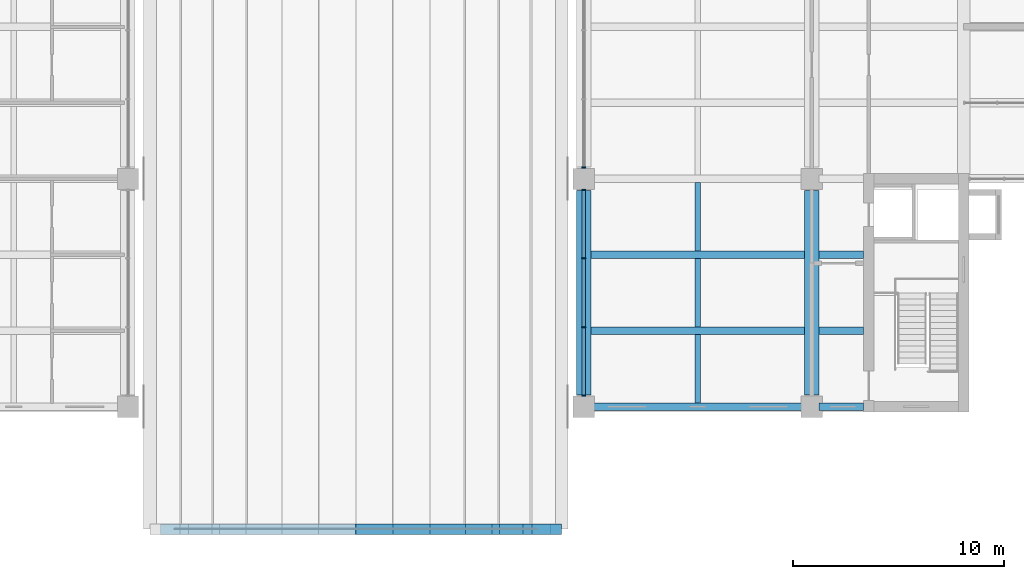
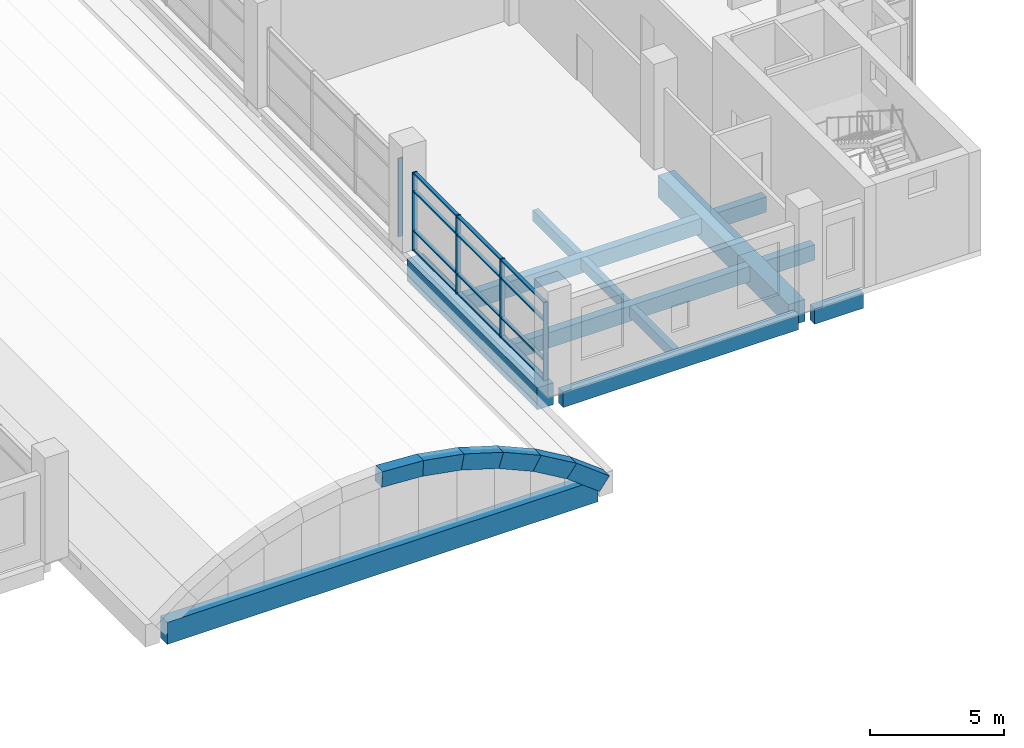
# One storey, part 6 of 45: 18 beams, 17 members, 2 elements without a shape of their own.
"""IFC4 building model written with IfcOpenShell, lengths in metres."""

from ifc_helpers import new_model, si_unit, direction, frame, origin, origin_2d, place, context, subcontext, project, spatial, rectangle, extrude, material, layer, layer_set, material_profile, profile_set, type_object, element, aggregate, save


model = new_model("IFC4")

# Units and contexts
model_context = context("Model", 3, precision=1e-05, world=origin(), true_north=direction((0.0, 1.0)))
body_context = subcontext(model_context, "Body", "Model", "MODEL_VIEW")
ifc_project = project(units=[si_unit("LENGTHUNIT", "METRE"), si_unit("AREAUNIT", "SQUARE_METRE"), si_unit("VOLUMEUNIT", "CUBIC_METRE"), si_unit("PLANEANGLEUNIT", "RADIAN"), si_unit("MASSUNIT", "GRAM", prefix="KILO")], contexts=[model_context])

# Site, building, storey
site_placement = place(None, origin())
site = spatial("IfcSite", under=ifc_project, at=site_placement, CompositionType="ELEMENT")
building_placement = place(site_placement, origin())
building = spatial("IfcBuilding", under=site, at=building_placement, Name="Basin Gate Institute", CompositionType="ELEMENT")
storey_placement = place(building_placement, frame((0.0, 0.0, 22.199951171875)))
storey = spatial("IfcBuildingStorey", under=building, at=storey_placement, Name="L04", CompositionType="ELEMENT", Elevation=22.199951171875)

# Beams
ifc_material_1 = material(Name="Concrete 40 MPa", Category="concrete")
ifc_material_profile_1 = material_profile(ifc_material_1, rectangle(XDim=0.35009765625, YDim=0.699951171875, at=origin_2d()), Name="Beam B1 350 x 700")
ifc_profile_set_1 = profile_set([ifc_material_profile_1], Name="Concrete 40 MPa")
beam_type_1 = type_object("IfcBeamType", Name="Beam B1 R120", PredefinedType="BEAM", material=ifc_profile_set_1)
beam_1_placement = place(storey_placement, frame((111.25, 35.10009765625, -0.599853515625), z_axis=(-1.0, 0.0, 0.0), x_axis=(0.0, -1.0, 0.0)))
element("IfcBeam", 1, at=beam_1_placement, inside=storey, type_object=beam_type_1, material=ifc_profile_set_1, Name="BEAM/L04/E/EW/01", PredefinedType="BEAM", context=body_context, shape_type="SweptSolid", body=[
    extrude(rectangle(XDim=0.35009765625, YDim=0.699951171875, at=origin_2d()), origin(), (0.0, 0.0, 1.0), 10.10009765625),
])
beam_2_placement = place(storey_placement, frame((114.050048828125, 35.10009765625, -0.599853515625), z_axis=(-1.0, 0.0, 0.0), x_axis=(0.0, -1.0, 0.0)))
element("IfcBeam", 2, at=beam_2_placement, inside=storey, type_object=beam_type_1, material=ifc_profile_set_1, Name="BEAM/L04/E/CORR/01", PredefinedType="BEAM", context=body_context, shape_type="SweptSolid", body=[
    extrude(rectangle(XDim=0.35009765625, YDim=0.699951171875, at=origin_2d()), origin(), (0.0, 0.0, 1.0), 2.10009765625),
])
beam_3_placement = place(storey_placement, frame((111.25, 38.699951171875, -0.599853515625), z_axis=(-1.0, 0.0, 0.0), x_axis=(0.0, -1.0, 0.0)))
element("IfcBeam", 3, at=beam_3_placement, inside=storey, type_object=beam_type_1, material=ifc_profile_set_1, Name="BEAM/L04/E/EW/02", PredefinedType="BEAM", context=body_context, shape_type="SweptSolid", body=[
    extrude(rectangle(XDim=0.35009765625, YDim=0.699951171875, at=origin_2d()), origin(), (0.0, 0.0, 1.0), 10.10009765625),
])
beam_4_placement = place(storey_placement, frame((114.050048828125, 38.699951171875, -0.599853515625), z_axis=(-1.0, 0.0, 0.0), x_axis=(0.0, -1.0, 0.0)))
element("IfcBeam", 4, at=beam_4_placement, inside=storey, type_object=beam_type_1, material=ifc_profile_set_1, Name="BEAM/L04/E/CORR/02", PredefinedType="BEAM", context=body_context, shape_type="SweptSolid", body=[
    extrude(rectangle(XDim=0.35009765625, YDim=0.699951171875, at=origin_2d()), origin(), (0.0, 0.0, 1.0), 2.10009765625),
])
beam_5_placement = place(storey_placement, frame((111.25, 42.300048828125, -0.599853515625), z_axis=(-1.0, 0.0, 0.0), x_axis=(0.0, -1.0, 0.0)))
element("IfcBeam", 5, at=beam_5_placement, inside=storey, type_object=beam_type_1, material=ifc_profile_set_1, Name="BEAM/L04/E/EW/03", PredefinedType="BEAM", context=body_context, shape_type="SweptSolid", body=[
    extrude(rectangle(XDim=0.35009765625, YDim=0.699951171875, at=origin_2d()), origin(), (0.0, 0.0, 1.0), 10.10009765625),
])
beam_6_placement = place(storey_placement, frame((114.050048828125, 42.300048828125, -0.599853515625), z_axis=(-1.0, 0.0, 0.0), x_axis=(0.0, -1.0, 0.0)))
element("IfcBeam", 6, at=beam_6_placement, inside=storey, type_object=beam_type_1, material=ifc_profile_set_1, Name="BEAM/L04/E/CORR/03", PredefinedType="BEAM", context=body_context, shape_type="SweptSolid", body=[
    extrude(rectangle(XDim=0.35009765625, YDim=0.699951171875, at=origin_2d()), origin(), (0.0, 0.0, 1.0), 2.10009765625),
])
ifc_material_2 = material(Name="Concrete 50 MPa", Category="concrete")
ifc_material_profile_2 = material_profile(ifc_material_2, rectangle(XDim=0.699951171875, YDim=1.0, at=origin_2d()), Name="Girder G1 700 x 1000")
ifc_profile_set_2 = profile_set([ifc_material_profile_2], Name="Concrete 50 MPa")
beam_type_2 = type_object("IfcBeamType", Name="Girder G1 R120", PredefinedType="BEAM", material=ifc_profile_set_2)
for number, where, z_axis, x_axis, name in (
    (7, (111.60009765625, 35.64990234375, -0.75), (0.0, 1.0, 0.0), (-1.0, 0.0, 0.0), "GIR/L04/E8/1"),
    (8, (100.800048828125, 35.64990234375, -0.75), (0.0, 1.0, 0.0), (-1.0, 0.0, 0.0), "GIR/L04/E7/1"),
):
    element("IfcBeam", number, at=place(storey_placement, frame(where, z_axis=z_axis, x_axis=x_axis)), inside=storey, type_object=beam_type_2, material=ifc_profile_set_2, Name=name, PredefinedType="BEAM", context=body_context, shape_type="SweptSolid", body=[
        extrude(rectangle(XDim=0.699951171875, YDim=1.0, at=origin_2d()), origin(), (0.0, 0.0, 1.0), 9.7001953125),
    ])

# Curtain wall, members
ifc_material_3 = material(Name="Aluminium-framed glazing", Category="aluminium")
ifc_layer = layer(ifc_material_3, 0.199951171875)
ifc_layer_set = layer_set([ifc_layer], Name="Atrium curtain wall CW2")
curtain_wall_type = type_object("IfcCurtainWallType", Name="Atrium curtain wall CW2", PredefinedType="NOTDEFINED", material=ifc_layer_set)
curtain_wall_1_placement = place(storey_placement, origin())
curtain_wall_1 = element("IfcCurtainWall", 9, at=curtain_wall_1_placement, inside=storey, type_object=curtain_wall_type, material=ifc_layer_set, Name="Atrium curtain wall E wing atrium bay 1 L04", PredefinedType="NOTDEFINED")
ifc_material_4 = material(Name="Aluminium", Category="aluminium")
ifc_material_profile_3 = material_profile(ifc_material_4, rectangle(XDim=0.199951171875, YDim=0.06005859375, at=origin_2d()), Name="Mullion MU2 200 x 60")
ifc_profile_set_3 = profile_set([ifc_material_profile_3], Name="Aluminium")
member_type_1 = type_object("IfcMemberType", Name="Mullion MU2", PredefinedType="MULLION", material=ifc_profile_set_3)
member_1_placement = place(storey_placement, frame((100.800048828125, 35.6298828125, 0.0), z_axis=(0.0, 0.0, 1.0), x_axis=(-1.0, 0.0, 0.0)))
member_1 = element("IfcMember", 10, at=member_1_placement, type_object=member_type_1, material=ifc_profile_set_3, Name="CW2 mullion 1", PredefinedType="MULLION", context=body_context, shape_type="SweptSolid", body=[
    extrude(rectangle(XDim=0.199951171875, YDim=0.06005859375, at=origin_2d()), origin(), (0.0, 0.0, 1.0), 3.550048828125),
])
member_2_placement = place(storey_placement, frame((100.800048828125, 38.86669921875, 0.0), z_axis=(0.0, 0.0, 1.0), x_axis=(-1.0, 0.0, 0.0)))
member_2 = element("IfcMember", 11, at=member_2_placement, type_object=member_type_1, material=ifc_profile_set_3, Name="CW2 mullion 2", PredefinedType="MULLION", context=body_context, shape_type="SweptSolid", body=[
    extrude(rectangle(XDim=0.199951171875, YDim=0.06005859375, at=origin_2d()), origin(), (0.0, 0.0, 1.0), 3.550048828125),
])
member_3_placement = place(storey_placement, frame((100.800048828125, 42.13330078125, 0.0), z_axis=(0.0, 0.0, 1.0), x_axis=(-1.0, 0.0, 0.0)))
member_3 = element("IfcMember", 12, at=member_3_placement, type_object=member_type_1, material=ifc_profile_set_3, Name="CW2 mullion 3", PredefinedType="MULLION", context=body_context, shape_type="SweptSolid", body=[
    extrude(rectangle(XDim=0.199951171875, YDim=0.06005859375, at=origin_2d()), origin(), (0.0, 0.0, 1.0), 3.550048828125),
])
member_4_placement = place(storey_placement, frame((100.800048828125, 45.3701171875, 0.0), z_axis=(0.0, 0.0, 1.0), x_axis=(-1.0, 0.0, 0.0)))
member_4 = element("IfcMember", 13, at=member_4_placement, type_object=member_type_1, material=ifc_profile_set_3, Name="CW2 mullion 4", PredefinedType="MULLION", context=body_context, shape_type="SweptSolid", body=[
    extrude(rectangle(XDim=0.199951171875, YDim=0.06005859375, at=origin_2d()), origin(), (0.0, 0.0, 1.0), 3.550048828125),
])

# Curtain wall, member
curtain_wall_2_placement = place(storey_placement, origin())
curtain_wall_2 = element("IfcCurtainWall", 14, at=curtain_wall_2_placement, inside=storey, type_object=curtain_wall_type, material=ifc_layer_set, Name="Atrium curtain wall E wing atrium bay 2 L04", PredefinedType="NOTDEFINED")
member_5_placement = place(storey_placement, frame((100.800048828125, 46.429931640625, 0.0), z_axis=(0.0, 0.0, 1.0), x_axis=(-1.0, 0.0, 0.0)))
member_5 = element("IfcMember", 15, at=member_5_placement, type_object=member_type_1, material=ifc_profile_set_3, Name="CW2 mullion 1", PredefinedType="MULLION", context=body_context, shape_type="SweptSolid", body=[
    extrude(rectangle(XDim=0.199951171875, YDim=0.06005859375, at=origin_2d()), origin(), (0.0, 0.0, 1.0), 3.550048828125),
])
aggregate(curtain_wall_2, [member_5])

# Beams
ifc_material_5 = material(Name="Concrete 40 MPa", Category="concrete")
ifc_material_profile_4 = material_profile(ifc_material_5, rectangle(XDim=0.25, YDim=0.5, at=origin_2d()), Name="Rib R1 250 x 500")
ifc_profile_set_4 = profile_set([ifc_material_profile_4], Name="Concrete 40 MPa")
beam_type_3 = type_object("IfcBeamType", Name="Rib R1 R120", PredefinedType="JOIST", material=ifc_profile_set_4)
for number, where, z_axis, x_axis, name in (
    (16, (106.199951171875, 35.27490234375, -0.5), (0.0, 1.0, 0.0), (-1.0, 0.0, 0.0), "BEAM/L04/E/RIB/01"),
    (17, (106.199951171875, 38.875, -0.5), (0.0, 1.0, 0.0), (-1.0, 0.0, 0.0), "BEAM/L04/E/RIB/02"),
    (18, (106.199951171875, 42.47509765625, -0.5), (0.0, 1.0, 0.0), (-1.0, 0.0, 0.0), "BEAM/L04/E/RIB/03"),
):
    element("IfcBeam", number, at=place(storey_placement, frame(where, z_axis=z_axis, x_axis=x_axis)), inside=storey, type_object=beam_type_3, material=ifc_profile_set_4, Name=name, PredefinedType="JOIST", context=body_context, shape_type="SweptSolid", body=[
        extrude(rectangle(XDim=0.25, YDim=0.5, at=origin_2d()), origin(), (0.0, 0.0, 1.0), 3.25),
    ])
ifc_material_6 = material(Name="Concrete 40 MPa", Category="concrete")
ifc_material_profile_5 = material_profile(ifc_material_6, rectangle(XDim=0.5, YDim=0.699951171875, at=origin_2d()), Name="Shell arch rib SR1 500 x 700")
ifc_profile_set_5 = profile_set([ifc_material_profile_5], Name="Concrete 40 MPa")
beam_type_4 = type_object("IfcBeamType", Name="Shell arch rib SR1 R120", PredefinedType="BEAM", material=ifc_profile_set_5)
beam_7_placement = place(storey_placement, frame((89.97900390625, 29.300048828125, 3.2509765625), z_axis=(0.99826817729, 0.0, -0.05882725737), x_axis=(0.0, 1.0, 0.0)))
element("IfcBeam", 19, at=beam_7_placement, inside=storey, type_object=beam_type_4, material=ifc_profile_set_5, Name="Atrium shell end rib 1 segment 7", PredefinedType="BEAM", context=body_context, shape_type="SweptSolid", body=[
    extrude(rectangle(XDim=0.5, YDim=0.699951171875, at=origin_2d()), origin(), (0.0, 0.0, 1.0), 1.76806640625),
])
beam_8_placement = place(storey_placement, frame((91.702880859375, 29.300048828125, 3.151123046875), z_axis=(0.984400250243, 0.0, -0.175943591303), x_axis=(0.0, 1.0, 0.0)))
element("IfcBeam", 20, at=beam_8_placement, inside=storey, type_object=beam_type_4, material=ifc_profile_set_5, Name="Atrium shell end rib 1 segment 8", PredefinedType="BEAM", context=body_context, shape_type="SweptSolid", body=[
    extrude(rectangle(XDim=0.5, YDim=0.699951171875, at=origin_2d()), origin(), (0.0, 0.0, 1.0), 1.767822265625),
])
beam_9_placement = place(storey_placement, frame((93.403076171875, 29.300048828125, 2.85009765625), z_axis=(0.956794187978, 0.0, -0.290766025957), x_axis=(0.0, 1.0, 0.0)))
element("IfcBeam", 21, at=beam_9_placement, inside=storey, type_object=beam_type_4, material=ifc_profile_set_5, Name="Atrium shell end rib 1 segment 9", PredefinedType="BEAM", context=body_context, shape_type="SweptSolid", body=[
    extrude(rectangle(XDim=0.5, YDim=0.699951171875, at=origin_2d()), origin(), (0.0, 0.0, 1.0), 1.768310546875),
])
beam_10_placement = place(storey_placement, frame((95.056884765625, 29.300048828125, 2.35009765625), z_axis=(0.916030487787, 0.0, -0.401108645436), x_axis=(0.0, 1.0, 0.0)))
element("IfcBeam", 22, at=beam_10_placement, inside=storey, type_object=beam_type_4, material=ifc_profile_set_5, Name="Atrium shell end rib 1 segment 10", PredefinedType="BEAM", context=body_context, shape_type="SweptSolid", body=[
    extrude(rectangle(XDim=0.5, YDim=0.699951171875, at=origin_2d()), origin(), (0.0, 0.0, 1.0), 1.767578125),
])
beam_11_placement = place(storey_placement, frame((96.638916015625, 29.300048828125, 1.66015625), z_axis=(0.862700047675, 0.0, -0.505715955593), x_axis=(0.0, 1.0, 0.0)))
element("IfcBeam", 23, at=beam_11_placement, inside=storey, type_object=beam_type_4, material=ifc_profile_set_5, Name="Atrium shell end rib 1 segment 11", PredefinedType="BEAM", context=body_context, shape_type="SweptSolid", body=[
    extrude(rectangle(XDim=0.5, YDim=0.699951171875, at=origin_2d()), origin(), (0.0, 0.0, 1.0), 1.767822265625),
])
beam_12_placement = place(storey_placement, frame((98.1298828125, 29.300048828125, 0.7890625), z_axis=(0.796941083787, 0.0, -0.604057041158), x_axis=(0.0, 1.0, 0.0)))
element("IfcBeam", 24, at=beam_12_placement, inside=storey, type_object=beam_type_4, material=ifc_profile_set_5, Name="Atrium shell end rib 1 segment 12", PredefinedType="BEAM", context=body_context, shape_type="SweptSolid", body=[
    extrude(rectangle(XDim=0.5, YDim=0.699951171875, at=origin_2d()), origin(), (0.0, 0.0, 1.0), 1.768310546875),
])
ifc_material_7 = material(Name="Concrete 40 MPa", Category="concrete")
ifc_material_profile_6 = material_profile(ifc_material_7, rectangle(XDim=0.5, YDim=1.0, at=origin_2d()), Name="Shell end tie beam SE3 500 x 1000")
ifc_profile_set_6 = profile_set([ifc_material_profile_6], Name="Concrete 40 MPa")
beam_type_5 = type_object("IfcBeamType", Name="Shell end tie beam SE3 R120", PredefinedType="BEAM", material=ifc_profile_set_6)
beam_13_placement = place(storey_placement, frame((80.75, 29.300048828125, -0.5), z_axis=(1.0, 0.0, 0.0), x_axis=(0.0, 1.0, 0.0)))
element("IfcBeam", 25, at=beam_13_placement, inside=storey, type_object=beam_type_5, material=ifc_profile_set_6, Name="Atrium shell end tie beam S", PredefinedType="BEAM", context=body_context, shape_type="SweptSolid", body=[
    extrude(rectangle(XDim=0.5, YDim=1.0, at=origin_2d()), origin(), (0.0, 0.0, 1.0), 18.5),
])

# Member
ifc_material_8 = material(Name="Aluminium", Category="aluminium")
ifc_material_profile_7 = material_profile(ifc_material_8, rectangle(XDim=0.14990234375, YDim=0.06005859375, at=origin_2d()), Name="Transom TR2 150 x 60")
ifc_profile_set_7 = profile_set([ifc_material_profile_7], Name="Aluminium")
member_type_2 = type_object("IfcMemberType", Name="Transom TR2", PredefinedType="USERDEFINED", material=ifc_profile_set_7)
member_6_placement = place(storey_placement, frame((100.800048828125, 35.659912109375, 0.030029296875), z_axis=(0.0, 1.0, 0.0), x_axis=(-1.0, 0.0, 0.0)))
member_6 = element("IfcMember", 26, at=member_6_placement, type_object=member_type_2, material=ifc_profile_set_7, Name="CW2 transom 1.1", ObjectType="TRANSOM", PredefinedType="USERDEFINED", context=body_context, shape_type="SweptSolid", body=[
    extrude(rectangle(XDim=0.14990234375, YDim=0.06005859375, at=origin_2d()), origin(), (0.0, 0.0, 1.0), 3.1767578125),
])

member_7_placement = place(storey_placement, frame((100.800048828125, 35.659912109375, 0.900146484375), z_axis=(0.0, 1.0, 0.0), x_axis=(-1.0, 0.0, 0.0)))
member_7 = element("IfcMember", 27, at=member_7_placement, type_object=member_type_2, material=ifc_profile_set_7, Name="CW2 transom 1.2", ObjectType="TRANSOM", PredefinedType="USERDEFINED", context=body_context, shape_type="SweptSolid", body=[
    extrude(rectangle(XDim=0.14990234375, YDim=0.06005859375, at=origin_2d()), origin(), (0.0, 0.0, 1.0), 3.1767578125),
])

member_8_placement = place(storey_placement, frame((100.800048828125, 35.659912109375, 2.699951171875), z_axis=(0.0, 1.0, 0.0), x_axis=(-1.0, 0.0, 0.0)))
member_8 = element("IfcMember", 28, at=member_8_placement, type_object=member_type_2, material=ifc_profile_set_7, Name="CW2 transom 1.3", ObjectType="TRANSOM", PredefinedType="USERDEFINED", context=body_context, shape_type="SweptSolid", body=[
    extrude(rectangle(XDim=0.14990234375, YDim=0.06005859375, at=origin_2d()), origin(), (0.0, 0.0, 1.0), 3.1767578125),
])

member_9_placement = place(storey_placement, frame((100.800048828125, 35.659912109375, 3.52001953125), z_axis=(0.0, 1.0, 0.0), x_axis=(-1.0, 0.0, 0.0)))
member_9 = element("IfcMember", 29, at=member_9_placement, type_object=member_type_2, material=ifc_profile_set_7, Name="CW2 transom 1.4", ObjectType="TRANSOM", PredefinedType="USERDEFINED", context=body_context, shape_type="SweptSolid", body=[
    extrude(rectangle(XDim=0.14990234375, YDim=0.06005859375, at=origin_2d()), origin(), (0.0, 0.0, 1.0), 3.1767578125),
])

member_10_placement = place(storey_placement, frame((100.800048828125, 38.896728515625, 0.030029296875), z_axis=(0.0, 1.0, 0.0), x_axis=(-1.0, 0.0, 0.0)))
member_10 = element("IfcMember", 30, at=member_10_placement, type_object=member_type_2, material=ifc_profile_set_7, Name="CW2 transom 2.1", ObjectType="TRANSOM", PredefinedType="USERDEFINED", context=body_context, shape_type="SweptSolid", body=[
    extrude(rectangle(XDim=0.14990234375, YDim=0.06005859375, at=origin_2d()), origin(), (0.0, 0.0, 1.0), 3.20654296875),
])

member_11_placement = place(storey_placement, frame((100.800048828125, 38.896728515625, 0.900146484375), z_axis=(0.0, 1.0, 0.0), x_axis=(-1.0, 0.0, 0.0)))
member_11 = element("IfcMember", 31, at=member_11_placement, type_object=member_type_2, material=ifc_profile_set_7, Name="CW2 transom 2.2", ObjectType="TRANSOM", PredefinedType="USERDEFINED", context=body_context, shape_type="SweptSolid", body=[
    extrude(rectangle(XDim=0.14990234375, YDim=0.06005859375, at=origin_2d()), origin(), (0.0, 0.0, 1.0), 3.20654296875),
])

member_12_placement = place(storey_placement, frame((100.800048828125, 38.896728515625, 2.699951171875), z_axis=(0.0, 1.0, 0.0), x_axis=(-1.0, 0.0, 0.0)))
member_12 = element("IfcMember", 32, at=member_12_placement, type_object=member_type_2, material=ifc_profile_set_7, Name="CW2 transom 2.3", ObjectType="TRANSOM", PredefinedType="USERDEFINED", context=body_context, shape_type="SweptSolid", body=[
    extrude(rectangle(XDim=0.14990234375, YDim=0.06005859375, at=origin_2d()), origin(), (0.0, 0.0, 1.0), 3.20654296875),
])

member_13_placement = place(storey_placement, frame((100.800048828125, 38.896728515625, 3.52001953125), z_axis=(0.0, 1.0, 0.0), x_axis=(-1.0, 0.0, 0.0)))
member_13 = element("IfcMember", 33, at=member_13_placement, type_object=member_type_2, material=ifc_profile_set_7, Name="CW2 transom 2.4", ObjectType="TRANSOM", PredefinedType="USERDEFINED", context=body_context, shape_type="SweptSolid", body=[
    extrude(rectangle(XDim=0.14990234375, YDim=0.06005859375, at=origin_2d()), origin(), (0.0, 0.0, 1.0), 3.20654296875),
])

member_14_placement = place(storey_placement, frame((100.800048828125, 42.163330078125, 0.030029296875), z_axis=(0.0, 1.0, 0.0), x_axis=(-1.0, 0.0, 0.0)))
member_14 = element("IfcMember", 34, at=member_14_placement, type_object=member_type_2, material=ifc_profile_set_7, Name="CW2 transom 3.1", ObjectType="TRANSOM", PredefinedType="USERDEFINED", context=body_context, shape_type="SweptSolid", body=[
    extrude(rectangle(XDim=0.14990234375, YDim=0.06005859375, at=origin_2d()), origin(), (0.0, 0.0, 1.0), 3.1767578125),
])

member_15_placement = place(storey_placement, frame((100.800048828125, 42.163330078125, 0.900146484375), z_axis=(0.0, 1.0, 0.0), x_axis=(-1.0, 0.0, 0.0)))
member_15 = element("IfcMember", 35, at=member_15_placement, type_object=member_type_2, material=ifc_profile_set_7, Name="CW2 transom 3.2", ObjectType="TRANSOM", PredefinedType="USERDEFINED", context=body_context, shape_type="SweptSolid", body=[
    extrude(rectangle(XDim=0.14990234375, YDim=0.06005859375, at=origin_2d()), origin(), (0.0, 0.0, 1.0), 3.1767578125),
])

member_16_placement = place(storey_placement, frame((100.800048828125, 42.163330078125, 2.699951171875), z_axis=(0.0, 1.0, 0.0), x_axis=(-1.0, 0.0, 0.0)))
member_16 = element("IfcMember", 36, at=member_16_placement, type_object=member_type_2, material=ifc_profile_set_7, Name="CW2 transom 3.3", ObjectType="TRANSOM", PredefinedType="USERDEFINED", context=body_context, shape_type="SweptSolid", body=[
    extrude(rectangle(XDim=0.14990234375, YDim=0.06005859375, at=origin_2d()), origin(), (0.0, 0.0, 1.0), 3.1767578125),
])

member_17_placement = place(storey_placement, frame((100.800048828125, 42.163330078125, 3.52001953125), z_axis=(0.0, 1.0, 0.0), x_axis=(-1.0, 0.0, 0.0)))
member_17 = element("IfcMember", 37, at=member_17_placement, type_object=member_type_2, material=ifc_profile_set_7, Name="CW2 transom 3.4", ObjectType="TRANSOM", PredefinedType="USERDEFINED", context=body_context, shape_type="SweptSolid", body=[
    extrude(rectangle(XDim=0.14990234375, YDim=0.06005859375, at=origin_2d()), origin(), (0.0, 0.0, 1.0), 3.1767578125),
])

aggregate(curtain_wall_1, [member_1, member_2, member_3, member_4, member_6, member_7, member_8, member_9, member_10, member_11, member_12, member_13, member_14, member_15, member_16, member_17])

save(model, "model.ifc")
